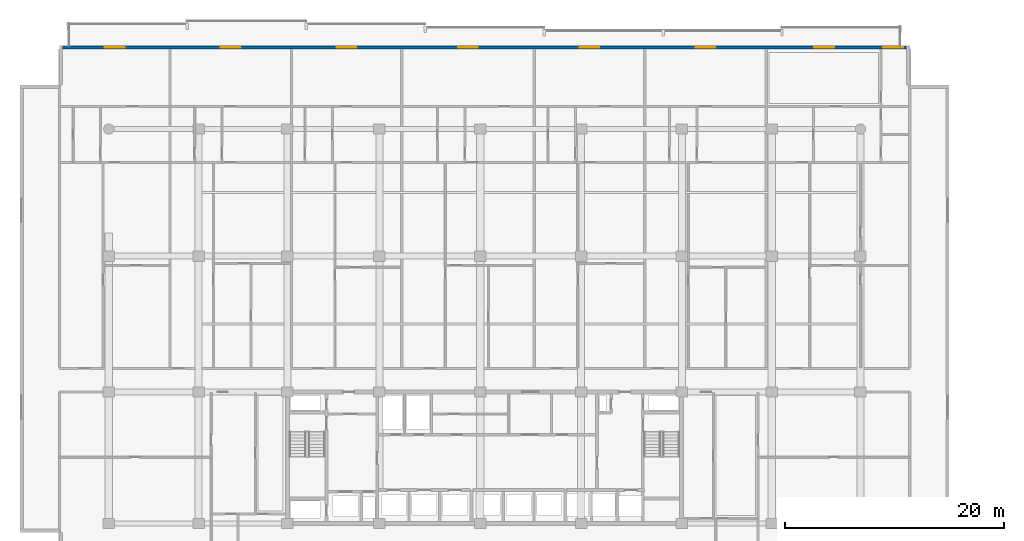
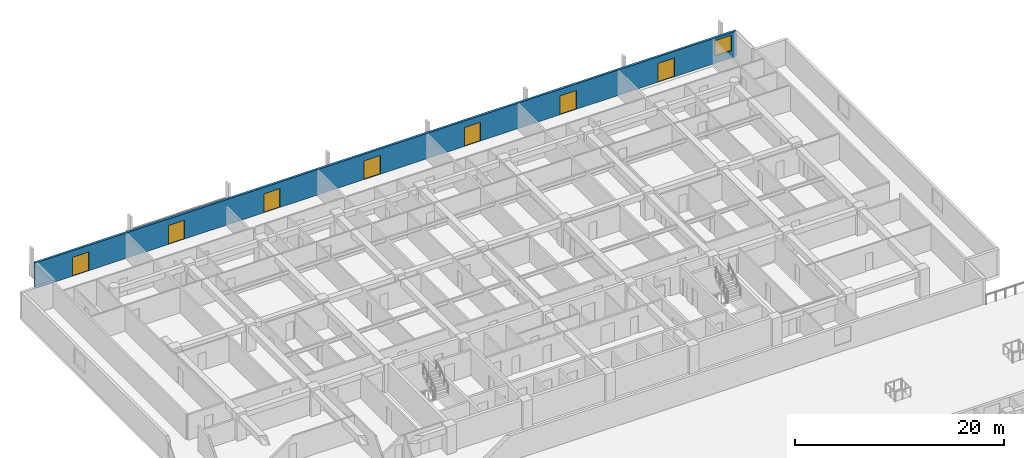
# One storey, part 16 of 24: 7 doors, 1 wall, 1 window, 8 openings.
"""IFC4 building model written with IfcOpenShell, lengths in metres."""

from ifc_helpers import new_model, si_unit, direction, frame, frame_2d, origin, place, context, subcontext, project, spatial, rectangle, extrude, material, layer, layer_set, type_object, element, fill, save


model = new_model("IFC4")

# Units and contexts
model_context = context("Model", 3, precision=1e-05, world=origin(), true_north=direction((0.0, 1.0)))
body_context = subcontext(model_context, "Body", "Model", "MODEL_VIEW")
ifc_project = project(units=[si_unit("LENGTHUNIT", "METRE"), si_unit("AREAUNIT", "SQUARE_METRE"), si_unit("VOLUMEUNIT", "CUBIC_METRE"), si_unit("PLANEANGLEUNIT", "RADIAN"), si_unit("MASSUNIT", "GRAM", prefix="KILO")], contexts=[model_context])

# Site, building, storey
site_placement = place(None, origin())
site = spatial("IfcSite", under=ifc_project, at=site_placement, CompositionType="ELEMENT")
building_placement = place(site_placement, origin())
building = spatial("IfcBuilding", under=site, at=building_placement, Name="Korimba Cascade Residences", CompositionType="ELEMENT")
storey_placement = place(building_placement, frame((0.0, 0.0, 24.0)))
storey = spatial("IfcBuildingStorey", under=building, at=storey_placement, Name="L05", CompositionType="ELEMENT", Elevation=24.0)

# Wall, openings, doors, window
ifc_material_1 = material(Name="Precast concrete C40/50", Category="concrete")
ifc_layer = layer(ifc_material_1, 0.25)
ifc_layer_set = layer_set([ifc_layer], Name="Precast concrete C40/50")
wall_type = type_object("IfcWallType", Name="EW-LOG-250", PredefinedType="STANDARD", material=ifc_layer_set)
wall_placement = place(storey_placement, frame((132.89990234375, 98.64990234375, 0.0), z_axis=(0.0, 0.0, 1.0), x_axis=(-1.0, 0.0, 0.0)))
wall = element("IfcWall", 1, at=wall_placement, inside=storey, type_object=wall_type, Name="L05 T1 Perimeter Stone Wall E06", PredefinedType="STANDARD", context=body_context, shape_type="SweptSolid", body=[
    extrude(rectangle(XDim=77.599853515625, YDim=0.25, at=frame_2d((38.7998046875, 0.0))), origin(), (0.0, 0.0, 1.0), 2.969970703125),
])
opening_1_placement = place(wall_placement, frame((71.660888671875, 0.0, 0.0)))
opening_1 = element("IfcOpeningElement", 2, at=opening_1_placement, cuts=wall, Name="Opening D-LG1", PredefinedType="OPENING", context=body_context, shape_type="SweptSolid", body=[
    extrude(rectangle(XDim=1.800048828125, YDim=2.199951171875, at=frame_2d((0.89990234375, 1.10009765625))), frame((0.0, 0.135009765625, 0.0), z_axis=(0.0, -1.0, 0.0), x_axis=(1.0, 0.0, 0.0)), (0.0, 0.0, 1.0), 0.27001953125),
])
opening_2_placement = place(wall_placement, frame((61.079345703125, 0.0, 0.0)))
opening_2 = element("IfcOpeningElement", 3, at=opening_2_placement, cuts=wall, Name="Opening D-LG1", PredefinedType="OPENING", context=body_context, shape_type="SweptSolid", body=[
    extrude(rectangle(XDim=1.800048828125, YDim=2.199951171875, at=frame_2d((0.89990234375, 1.10009765625))), frame((0.0, 0.135009765625, 0.0), z_axis=(0.0, -1.0, 0.0), x_axis=(1.0, 0.0, 0.0)), (0.0, 0.0, 1.0), 0.27001953125),
])
opening_3_placement = place(wall_placement, frame((50.49755859375, 0.0, 0.0)))
opening_3 = element("IfcOpeningElement", 4, at=opening_3_placement, cuts=wall, Name="Opening D-LG1", PredefinedType="OPENING", context=body_context, shape_type="SweptSolid", body=[
    extrude(rectangle(XDim=1.800048828125, YDim=2.199951171875, at=frame_2d((0.89990234375, 1.10009765625))), frame((0.0, 0.135009765625, 0.0), z_axis=(0.0, -1.0, 0.0), x_axis=(1.0, 0.0, 0.0)), (0.0, 0.0, 1.0), 0.27001953125),
])
opening_4_placement = place(wall_placement, frame((39.41162109375, 0.0, 0.0)))
opening_4 = element("IfcOpeningElement", 5, at=opening_4_placement, cuts=wall, Name="Opening D-LG1", PredefinedType="OPENING", context=body_context, shape_type="SweptSolid", body=[
    extrude(rectangle(XDim=1.800048828125, YDim=2.199951171875, at=frame_2d((0.89990234375, 1.10009765625))), frame((0.0, 0.135009765625, 0.0), z_axis=(0.0, -1.0, 0.0), x_axis=(1.0, 0.0, 0.0)), (0.0, 0.0, 1.0), 0.27001953125),
])
opening_5_placement = place(wall_placement, frame((28.326171875, 0.0, 0.0)))
opening_5 = element("IfcOpeningElement", 6, at=opening_5_placement, cuts=wall, Name="Opening D-LG1", PredefinedType="OPENING", context=body_context, shape_type="SweptSolid", body=[
    extrude(rectangle(XDim=1.800048828125, YDim=2.199951171875, at=frame_2d((0.89990234375, 1.10009765625))), frame((0.0, 0.135009765625, 0.0), z_axis=(0.0, -1.0, 0.0), x_axis=(1.0, 0.0, 0.0)), (0.0, 0.0, 1.0), 0.27001953125),
])
opening_6_placement = place(wall_placement, frame((17.744140625, 0.0, 0.0)))
opening_6 = element("IfcOpeningElement", 7, at=opening_6_placement, cuts=wall, Name="Opening D-LG1", PredefinedType="OPENING", context=body_context, shape_type="SweptSolid", body=[
    extrude(rectangle(XDim=1.800048828125, YDim=2.199951171875, at=frame_2d((0.89990234375, 1.10009765625))), frame((0.0, 0.135009765625, 0.0), z_axis=(0.0, -1.0, 0.0), x_axis=(1.0, 0.0, 0.0)), (0.0, 0.0, 1.0), 0.27001953125),
])
opening_7_placement = place(wall_placement, frame((6.900634765625, 0.0, 0.0)))
opening_7 = element("IfcOpeningElement", 8, at=opening_7_placement, cuts=wall, Name="Opening D-LG1", PredefinedType="OPENING", context=body_context, shape_type="SweptSolid", body=[
    extrude(rectangle(XDim=1.800048828125, YDim=2.199951171875, at=frame_2d((0.89990234375, 1.10009765625))), frame((0.0, 0.135009765625, 0.0), z_axis=(0.0, -1.0, 0.0), x_axis=(1.0, 0.0, 0.0)), (0.0, 0.0, 1.0), 0.27001953125),
])
opening_8_placement = place(wall_placement, frame((0.60009765625, 0.0, 0.85009765625)))
opening_8 = element("IfcOpeningElement", 9, at=opening_8_placement, cuts=wall, Name="Opening W-02", PredefinedType="OPENING", context=body_context, shape_type="SweptSolid", body=[
    extrude(rectangle(XDim=1.800048828125, YDim=1.800048828125, at=frame_2d((0.89990234375, 0.89990234375))), frame((0.0, 0.135009765625, 0.0), z_axis=(0.0, -1.0, 0.0), x_axis=(1.0, 0.0, 0.0)), (0.0, 0.0, 1.0), 0.27001953125),
])
ifc_material_2 = material(Name="Glazed Aluminium Loggia Sliding Door", Category="aluminium")
door_type = type_object("IfcDoorType", Name="DR-EXT-LOG", OperationType="NOTDEFINED", PredefinedType="DOOR", material=ifc_material_2)
door_1_placement = place(opening_1_placement, origin())
door_1 = element("IfcDoor", 10, at=door_1_placement, inside=storey, type_object=door_type, Name="L05 T1 Loggia Sliding Door 3", OperationType="SLIDING_TO_LEFT", OverallHeight=2.199951171875, OverallWidth=1.800048828125, PredefinedType="DOOR", context=body_context, shape_type="SweptSolid", body=[
    extrude(rectangle(XDim=1.800048828125, YDim=2.199951171875, at=frame_2d((0.89990234375, 1.10009765625))), frame((0.0, 0.02490234375, 0.0), z_axis=(0.0, -1.0, 0.0), x_axis=(1.0, 0.0, 0.0)), (0.0, 0.0, 1.0), 0.050048828125),
])
fill(opening_1, door_1)
door_2_placement = place(opening_2_placement, origin())
door_2 = element("IfcDoor", 11, at=door_2_placement, inside=storey, type_object=door_type, Name="L05 T1 Loggia Sliding Door 4", OperationType="SLIDING_TO_LEFT", OverallHeight=2.199951171875, OverallWidth=1.800048828125, PredefinedType="DOOR", context=body_context, shape_type="SweptSolid", body=[
    extrude(rectangle(XDim=1.800048828125, YDim=2.199951171875, at=frame_2d((0.89990234375, 1.10009765625))), frame((0.0, 0.02490234375, 0.0), z_axis=(0.0, -1.0, 0.0), x_axis=(1.0, 0.0, 0.0)), (0.0, 0.0, 1.0), 0.050048828125),
])
fill(opening_2, door_2)
door_3_placement = place(opening_3_placement, origin())
door_3 = element("IfcDoor", 12, at=door_3_placement, inside=storey, type_object=door_type, Name="L05 T1 Loggia Sliding Door 5", OperationType="SLIDING_TO_LEFT", OverallHeight=2.199951171875, OverallWidth=1.800048828125, PredefinedType="DOOR", context=body_context, shape_type="SweptSolid", body=[
    extrude(rectangle(XDim=1.800048828125, YDim=2.199951171875, at=frame_2d((0.89990234375, 1.10009765625))), frame((0.0, 0.02490234375, 0.0), z_axis=(0.0, -1.0, 0.0), x_axis=(1.0, 0.0, 0.0)), (0.0, 0.0, 1.0), 0.050048828125),
])
fill(opening_3, door_3)
door_4_placement = place(opening_4_placement, origin())
door_4 = element("IfcDoor", 13, at=door_4_placement, inside=storey, type_object=door_type, Name="L05 T1 Loggia Sliding Door 6", OperationType="SLIDING_TO_LEFT", OverallHeight=2.199951171875, OverallWidth=1.800048828125, PredefinedType="DOOR", context=body_context, shape_type="SweptSolid", body=[
    extrude(rectangle(XDim=1.800048828125, YDim=2.199951171875, at=frame_2d((0.89990234375, 1.10009765625))), frame((0.0, 0.02490234375, 0.0), z_axis=(0.0, -1.0, 0.0), x_axis=(1.0, 0.0, 0.0)), (0.0, 0.0, 1.0), 0.050048828125),
])
fill(opening_4, door_4)
door_5_placement = place(opening_5_placement, origin())
door_5 = element("IfcDoor", 14, at=door_5_placement, inside=storey, type_object=door_type, Name="L05 T1 Loggia Sliding Door 7", OperationType="SLIDING_TO_LEFT", OverallHeight=2.199951171875, OverallWidth=1.800048828125, PredefinedType="DOOR", context=body_context, shape_type="SweptSolid", body=[
    extrude(rectangle(XDim=1.800048828125, YDim=2.199951171875, at=frame_2d((0.89990234375, 1.10009765625))), frame((0.0, 0.02490234375, 0.0), z_axis=(0.0, -1.0, 0.0), x_axis=(1.0, 0.0, 0.0)), (0.0, 0.0, 1.0), 0.050048828125),
])
fill(opening_5, door_5)
door_6_placement = place(opening_6_placement, origin())
door_6 = element("IfcDoor", 15, at=door_6_placement, inside=storey, type_object=door_type, Name="L05 T1 Loggia Sliding Door 8", OperationType="SLIDING_TO_LEFT", OverallHeight=2.199951171875, OverallWidth=1.800048828125, PredefinedType="DOOR", context=body_context, shape_type="SweptSolid", body=[
    extrude(rectangle(XDim=1.800048828125, YDim=2.199951171875, at=frame_2d((0.89990234375, 1.10009765625))), frame((0.0, 0.02490234375, 0.0), z_axis=(0.0, -1.0, 0.0), x_axis=(1.0, 0.0, 0.0)), (0.0, 0.0, 1.0), 0.050048828125),
])
fill(opening_6, door_6)
door_7_placement = place(opening_7_placement, origin())
door_7 = element("IfcDoor", 16, at=door_7_placement, inside=storey, type_object=door_type, Name="L05 T1 Loggia Sliding Door 9", OperationType="SLIDING_TO_LEFT", OverallHeight=2.199951171875, OverallWidth=1.800048828125, PredefinedType="DOOR", context=body_context, shape_type="SweptSolid", body=[
    extrude(rectangle(XDim=1.800048828125, YDim=2.199951171875, at=frame_2d((0.89990234375, 1.10009765625))), frame((0.0, 0.02490234375, 0.0), z_axis=(0.0, -1.0, 0.0), x_axis=(1.0, 0.0, 0.0)), (0.0, 0.0, 1.0), 0.050048828125),
])
fill(opening_7, door_7)
ifc_material_3 = material(Name="Double-Glazed Aluminium Window", Category="aluminium")
window_type = type_object("IfcWindowType", Name="WIN-BED-1800", PartitioningType="SINGLE_PANEL", PredefinedType="WINDOW", material=ifc_material_3)
window_placement = place(opening_8_placement, origin())
window = element("IfcWindow", 17, at=window_placement, inside=storey, type_object=window_type, Name="L05 T1 North Facade Window 10", OverallHeight=1.800048828125, OverallWidth=1.800048828125, PartitioningType="SINGLE_PANEL", PredefinedType="WINDOW", context=body_context, shape_type="SweptSolid", body=[
    extrude(rectangle(XDim=1.800048828125, YDim=1.800048828125, at=frame_2d((0.89990234375, 0.89990234375))), frame((0.0, 0.030029296875, 0.0), z_axis=(0.0, -1.0, 0.0), x_axis=(1.0, 0.0, 0.0)), (0.0, 0.0, 1.0), 0.06005859375),
])
fill(opening_8, window)

save(model, "model.ifc")
